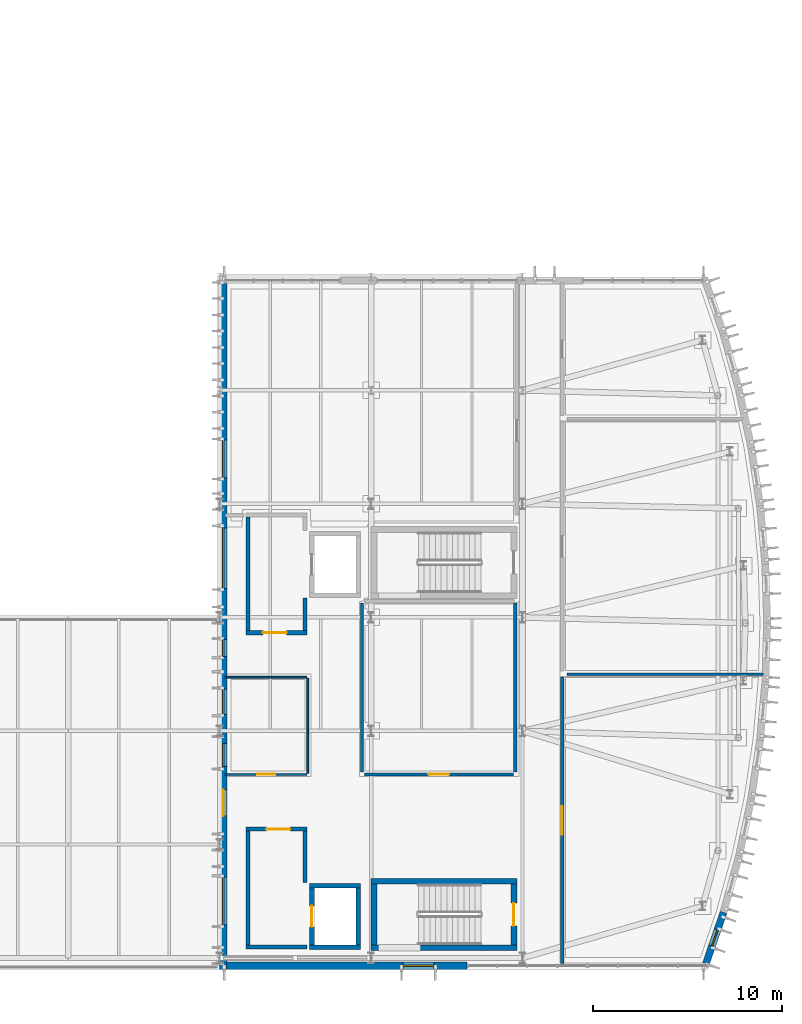
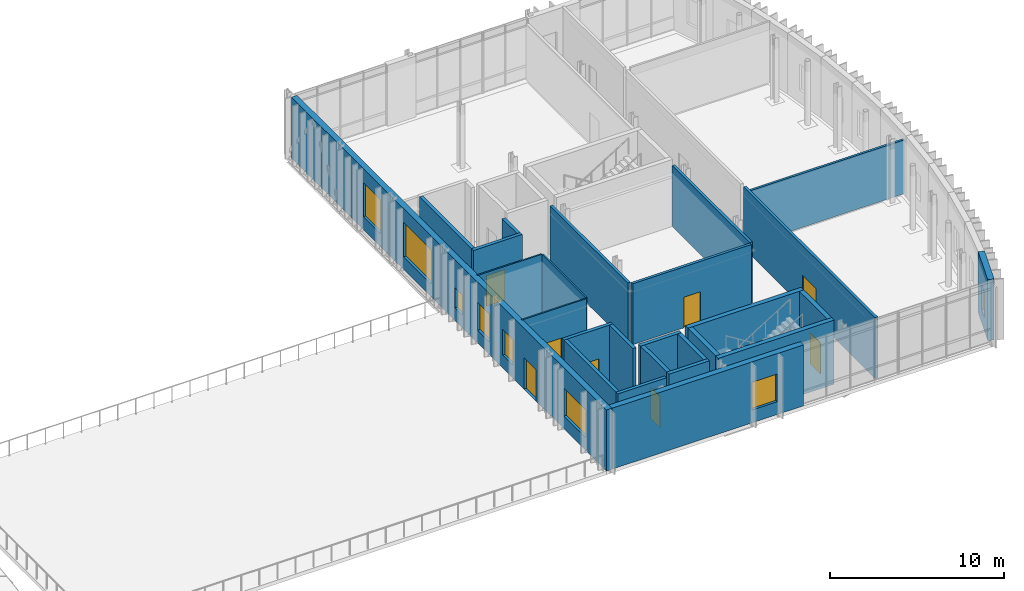
# One storey, part 45 of 62: 26 walls, 8 doors, 8 windows, 16 openings.
"""IFC4 building model written with IfcOpenShell, lengths in metres."""

from ifc_helpers import new_model, si_unit, direction, frame, frame_2d, origin, place, context, subcontext, project, spatial, rectangle, extrude, material, layer, layer_set, type_object, element, fill, save


model = new_model("IFC4")

# Units and contexts
model_context = context("Model", 3, precision=1e-05, world=origin(), true_north=direction((0.0, 1.0)))
body_context = subcontext(model_context, "Body", "Model", "MODEL_VIEW")
ifc_project = project(units=[si_unit("LENGTHUNIT", "METRE"), si_unit("AREAUNIT", "SQUARE_METRE"), si_unit("VOLUMEUNIT", "CUBIC_METRE"), si_unit("PLANEANGLEUNIT", "RADIAN"), si_unit("MASSUNIT", "GRAM", prefix="KILO")], contexts=[model_context])

# Site, building, storey
site_placement = place(None, origin())
site = spatial("IfcSite", under=ifc_project, at=site_placement, CompositionType="ELEMENT")
building_placement = place(site_placement, origin())
building = spatial("IfcBuilding", under=site, at=building_placement, Name="Cymarion Research Institute", CompositionType="ELEMENT")
storey_placement = place(building_placement, frame((0.0, 0.0, 18.300048828125)))
storey = spatial("IfcBuildingStorey", under=building, at=storey_placement, Name="L04", CompositionType="ELEMENT", Elevation=18.300048828125)

# Wall, opening, window
ifc_material_1 = material(Name="Precast concrete C40/50", Category="concrete")
ifc_layer_1 = layer(ifc_material_1, 0.3798828125)
ifc_layer_set_1 = layer_set([ifc_layer_1], Name="Precast concrete C40/50")
wall_type_1 = type_object("IfcWallType", Name="EXTERIOR WALL EW-PC380 380MM", PredefinedType="SOLIDWALL", material=ifc_layer_set_1)
wall_1_placement = place(storey_placement, frame((138.9619140625, 5.090087890625, 0.0), z_axis=(0.0, 0.0, 1.0), x_axis=(1.0, 0.0, 0.0)))
wall_1 = element("IfcWall", 1, at=wall_1_placement, inside=storey, type_object=wall_type_1, Name="L04 V1 facade pier wall EW-PC380 #195", PredefinedType="SOLIDWALL", context=body_context, shape_type="SweptSolid", body=[
    extrude(rectangle(XDim=12.718994140625, YDim=0.3798828125, at=frame_2d((6.359375, 0.0))), origin(), (0.0, 0.0, 1.0), 4.280029296875),
])
opening_1_placement = place(wall_1_placement, frame((9.31396484375, 0.0, 0.89990234375)))
opening_1 = element("IfcOpeningElement", 2, at=opening_1_placement, cuts=wall_1, Name="Opening W28", PredefinedType="OPENING", context=body_context, shape_type="SweptSolid", body=[
    extrude(rectangle(XDim=1.64990234375, YDim=1.949951171875, at=frame_2d((0.824951171875, 0.97509765625))), frame((0.0, 0.199951171875, 0.0), z_axis=(0.0, -1.0, 0.0), x_axis=(1.0, 0.0, 0.0)), (0.0, 0.0, 1.0), 0.39990234375),
])
ifc_material_2 = material(Name="Thermally broken aluminium window with Low-E glazing", Category="aluminium")
window_type_1 = type_object("IfcWindowType", Name="THERMALLY BROKEN ALUMINIUM WINDOW W28 1650X1950", PartitioningType="DOUBLE_PANEL_VERTICAL", PredefinedType="WINDOW", material=ifc_material_2)
window_1_placement = place(opening_1_placement, origin())
window_1 = element("IfcWindow", 3, at=window_1_placement, inside=storey, type_object=window_type_1, Name="L04 V1 facade window W28 #363", OverallHeight=1.949951171875, OverallWidth=1.64990234375, PartitioningType="SINGLE_PANEL", PredefinedType="WINDOW", context=body_context, shape_type="SweptSolid", body=[
    extrude(rectangle(XDim=1.64990234375, YDim=1.949951171875, at=frame_2d((0.824951171875, 0.97509765625))), frame((0.0, 0.030029296875, 0.0), z_axis=(0.0, -1.0, 0.0), x_axis=(1.0, 0.0, 0.0)), (0.0, 0.0, 1.0), 0.06005859375),
])
fill(opening_1, window_1)

wall_2_placement = place(storey_placement, frame((164.30224609375, 5.201416015625, 0.0), z_axis=(0.0, 0.0, 1.0), x_axis=(0.323739917301, 0.946146112366, 0.0)))
wall_2 = element("IfcWall", 4, at=wall_2_placement, inside=storey, type_object=wall_type_1, Name="L04 V1 exterior wall EW-PC380 #196", PredefinedType="SOLIDWALL", context=body_context, shape_type="SweptSolid", body=[
    extrude(rectangle(XDim=2.862548828125, YDim=0.3798828125, at=frame_2d((1.43115234375, 0.0))), origin(), (0.0, 0.0, 1.0), 4.280029296875),
])
opening_2_placement = place(wall_2_placement, frame((0.98095703125, 0.0, 0.89990234375)))
opening_2 = element("IfcOpeningElement", 5, at=opening_2_placement, cuts=wall_2, Name="Opening W24", PredefinedType="OPENING", context=body_context, shape_type="SweptSolid", body=[
    extrude(rectangle(XDim=0.89990234375, YDim=1.800048828125, at=frame_2d((0.449951171875, 0.89990234375))), frame((0.0, 0.199951171875, 0.0), z_axis=(0.0, -1.0, 0.0), x_axis=(1.0, 0.0, 0.0)), (0.0, 0.0, 1.0), 0.39990234375),
])
window_type_2 = type_object("IfcWindowType", Name="THERMALLY BROKEN ALUMINIUM WINDOW W24 900X1800", PartitioningType="SINGLE_PANEL", PredefinedType="WINDOW", material=ifc_material_2)
window_2_placement = place(opening_2_placement, origin())
window_2 = element("IfcWindow", 6, at=window_2_placement, inside=storey, type_object=window_type_2, Name="L04 V1 facade window W24 #364", OverallHeight=1.800048828125, OverallWidth=0.89990234375, PartitioningType="SINGLE_PANEL", PredefinedType="WINDOW", context=body_context, shape_type="SweptSolid", body=[
    extrude(rectangle(XDim=0.89990234375, YDim=1.800048828125, at=frame_2d((0.449951171875, 0.89990234375))), frame((0.0, 0.030029296875, 0.0), z_axis=(0.0, -1.0, 0.0), x_axis=(1.0, 0.0, 0.0)), (0.0, 0.0, 1.0), 0.06005859375),
])
fill(opening_2, window_2)

# Wall, openings, door, windows
wall_3_placement = place(storey_placement, frame((138.7900390625, 41.137939453125, 0.0), z_axis=(0.0, 0.0, 1.0), x_axis=(0.0, -1.0, 0.0)))
wall_3 = element("IfcWall", 7, at=wall_3_placement, inside=storey, type_object=wall_type_1, Name="L04 V1 exterior wall EW-PC380 #211", PredefinedType="SOLIDWALL", context=body_context, shape_type="SweptSolid", body=[
    extrude(rectangle(XDim=36.238037109375, YDim=0.3798828125, at=frame_2d((18.119140625, 0.0))), origin(), (0.0, 0.0, 1.0), 4.280029296875),
])
opening_3_placement = place(wall_3_placement, frame((26.738037109375, 0.0, 0.0)))
opening_3 = element("IfcOpeningElement", 8, at=opening_3_placement, cuts=wall_3, Name="Opening D-TR-L04-V1", PredefinedType="OPENING", context=body_context, shape_type="SweptSolid", body=[
    extrude(rectangle(XDim=1.39990234375, YDim=2.199951171875, at=frame_2d((0.699951171875, 1.10009765625))), frame((0.0, 0.199951171875, 0.0), z_axis=(0.0, -1.0, 0.0), x_axis=(1.0, 0.0, 0.0)), (0.0, 0.0, 1.0), 0.39990234375),
])
opening_4_placement = place(wall_3_placement, frame((8.26806640625, 0.0, 0.89990234375)))
opening_4 = element("IfcOpeningElement", 9, at=opening_4_placement, cuts=wall_3, Name="Opening W21", PredefinedType="OPENING", context=body_context, shape_type="SweptSolid", body=[
    extrude(rectangle(XDim=2.0, YDim=2.39990234375, at=frame_2d((1.0, 1.199951171875))), frame((0.0, 0.199951171875, 0.0), z_axis=(0.0, -1.0, 0.0), x_axis=(1.0, 0.0, 0.0)), (0.0, 0.0, 1.0), 0.39990234375),
])
opening_5_placement = place(wall_3_placement, frame((12.9130859375, 0.0, 0.89990234375)))
opening_5 = element("IfcOpeningElement", 10, at=opening_5_placement, cuts=wall_3, Name="Opening W23", PredefinedType="OPENING", context=body_context, shape_type="SweptSolid", body=[
    extrude(rectangle(XDim=3.199951171875, YDim=2.39990234375, at=frame_2d((1.60009765625, 1.199951171875))), frame((0.0, 0.199951171875, 0.0), z_axis=(0.0, -1.0, 0.0), x_axis=(1.0, 0.0, 0.0)), (0.0, 0.0, 1.0), 0.39990234375),
])
opening_6_placement = place(wall_3_placement, frame((18.80810546875, 0.0, 0.89990234375)))
opening_6 = element("IfcOpeningElement", 11, at=opening_6_placement, cuts=wall_3, Name="Opening W25", PredefinedType="OPENING", context=body_context, shape_type="SweptSolid", body=[
    extrude(rectangle(XDim=0.89990234375, YDim=1.39990234375, at=frame_2d((0.449951171875, 0.699951171875))), frame((0.0, 0.199951171875, 0.0), z_axis=(0.0, -1.0, 0.0), x_axis=(1.0, 0.0, 0.0)), (0.0, 0.0, 1.0), 0.39990234375),
])
opening_7_placement = place(wall_3_placement, frame((21.423095703125, 0.0, 0.89990234375)))
opening_7 = element("IfcOpeningElement", 12, at=opening_7_placement, cuts=wall_3, Name="Opening W27", PredefinedType="OPENING", context=body_context, shape_type="SweptSolid", body=[
    extrude(rectangle(XDim=1.35009765625, YDim=1.949951171875, at=frame_2d((0.675048828125, 0.97509765625))), frame((0.0, 0.199951171875, 0.0), z_axis=(0.0, -1.0, 0.0), x_axis=(1.0, 0.0, 0.0)), (0.0, 0.0, 1.0), 0.39990234375),
])
opening_8_placement = place(wall_3_placement, frame((24.30810546875, 0.0, 0.89990234375)))
opening_8 = element("IfcOpeningElement", 13, at=opening_8_placement, cuts=wall_3, Name="Opening W01", PredefinedType="OPENING", context=body_context, shape_type="SweptSolid", body=[
    extrude(rectangle(XDim=1.199951171875, YDim=1.800048828125, at=frame_2d((0.60009765625, 0.89990234375))), frame((0.0, 0.199951171875, 0.0), z_axis=(0.0, -1.0, 0.0), x_axis=(1.0, 0.0, 0.0)), (0.0, 0.0, 1.0), 0.39990234375),
])
opening_9_placement = place(wall_3_placement, frame((31.35302734375, 0.0, 0.89990234375)))
opening_9 = element("IfcOpeningElement", 14, at=opening_9_placement, cuts=wall_3, Name="Opening W31", PredefinedType="OPENING", context=body_context, shape_type="SweptSolid", body=[
    extrude(rectangle(XDim=2.550048828125, YDim=1.949951171875, at=frame_2d((1.27490234375, 0.97509765625))), frame((0.0, 0.199951171875, 0.0), z_axis=(0.0, -1.0, 0.0), x_axis=(1.0, 0.0, 0.0)), (0.0, 0.0, 1.0), 0.39990234375),
])
ifc_material_3 = material(Name="Thermally broken anodised aluminium glazed door", Category="aluminium")
door_type_1 = type_object("IfcDoorType", Name="GLAZED ALUMINIUM TERRACE ACCESS DOOR DT-TR140 1400X2200", OperationType="NOTDEFINED", PredefinedType="DOOR", material=ifc_material_3)
door_1_placement = place(opening_3_placement, frame((1.39990234375, 0.0, 0.0), z_axis=(0.0, 0.0, 1.0), x_axis=(-1.0, 0.0, 0.0)))
door_1 = element("IfcDoor", 15, at=door_1_placement, inside=storey, type_object=door_type_1, Name="L04 V1 Roof Garden Terrace Door D-TR-L04-V1", OperationType="SINGLE_SWING_LEFT", OverallHeight=2.199951171875, OverallWidth=1.39990234375, PredefinedType="DOOR", context=body_context, shape_type="SweptSolid", body=[
    extrude(rectangle(XDim=1.39990234375, YDim=2.199951171875, at=frame_2d((0.699951171875, 1.10009765625))), frame((0.0, 0.02490234375, 0.0), z_axis=(0.0, -1.0, 0.0), x_axis=(1.0, 0.0, 0.0)), (0.0, 0.0, 1.0), 0.050048828125),
])
fill(opening_3, door_1)
window_type_3 = type_object("IfcWindowType", Name="THERMALLY BROKEN ALUMINIUM WINDOW W01 1200X1800", PartitioningType="SINGLE_PANEL", PredefinedType="WINDOW", material=ifc_material_2)
window_3_placement = place(opening_8_placement, origin())
window_3 = element("IfcWindow", 16, at=window_3_placement, inside=storey, type_object=window_type_3, Name="L04 V1 facade window W01 #380", OverallHeight=1.800048828125, OverallWidth=1.199951171875, PartitioningType="SINGLE_PANEL", PredefinedType="WINDOW", context=body_context, shape_type="SweptSolid", body=[
    extrude(rectangle(XDim=1.199951171875, YDim=1.800048828125, at=frame_2d((0.60009765625, 0.89990234375))), frame((0.0, 0.030029296875, 0.0), z_axis=(0.0, -1.0, 0.0), x_axis=(1.0, 0.0, 0.0)), (0.0, 0.0, 1.0), 0.06005859375),
])
fill(opening_8, window_3)
window_type_4 = type_object("IfcWindowType", Name="THERMALLY BROKEN ALUMINIUM WINDOW W21 2000X2400", PartitioningType="DOUBLE_PANEL_VERTICAL", PredefinedType="WINDOW", material=ifc_material_2)
window_4_placement = place(opening_4_placement, origin())
window_4 = element("IfcWindow", 17, at=window_4_placement, inside=storey, type_object=window_type_4, Name="L04 V1 facade window W21 #376", OverallHeight=2.39990234375, OverallWidth=2.0, PartitioningType="SINGLE_PANEL", PredefinedType="WINDOW", context=body_context, shape_type="SweptSolid", body=[
    extrude(rectangle(XDim=2.0, YDim=2.39990234375, at=frame_2d((1.0, 1.199951171875))), frame((0.0, 0.030029296875, 0.0), z_axis=(0.0, -1.0, 0.0), x_axis=(1.0, 0.0, 0.0)), (0.0, 0.0, 1.0), 0.06005859375),
])
fill(opening_4, window_4)
window_type_5 = type_object("IfcWindowType", Name="THERMALLY BROKEN ALUMINIUM WINDOW W23 3200X2400", PartitioningType="TRIPLE_PANEL_VERTICAL", PredefinedType="WINDOW", material=ifc_material_2)
window_5_placement = place(opening_5_placement, origin())
window_5 = element("IfcWindow", 18, at=window_5_placement, inside=storey, type_object=window_type_5, Name="L04 V1 facade window W23 #377", OverallHeight=2.39990234375, OverallWidth=3.199951171875, PartitioningType="SINGLE_PANEL", PredefinedType="WINDOW", context=body_context, shape_type="SweptSolid", body=[
    extrude(rectangle(XDim=3.199951171875, YDim=2.39990234375, at=frame_2d((1.60009765625, 1.199951171875))), frame((0.0, 0.030029296875, 0.0), z_axis=(0.0, -1.0, 0.0), x_axis=(1.0, 0.0, 0.0)), (0.0, 0.0, 1.0), 0.06005859375),
])
fill(opening_5, window_5)
window_type_6 = type_object("IfcWindowType", Name="THERMALLY BROKEN ALUMINIUM WINDOW W25 900X1400", PartitioningType="SINGLE_PANEL", PredefinedType="WINDOW", material=ifc_material_2)
window_6_placement = place(opening_6_placement, origin())
window_6 = element("IfcWindow", 19, at=window_6_placement, inside=storey, type_object=window_type_6, Name="L04 V1 facade window W25 #378", OverallHeight=1.39990234375, OverallWidth=0.89990234375, PartitioningType="SINGLE_PANEL", PredefinedType="WINDOW", context=body_context, shape_type="SweptSolid", body=[
    extrude(rectangle(XDim=0.89990234375, YDim=1.39990234375, at=frame_2d((0.449951171875, 0.699951171875))), frame((0.0, 0.030029296875, 0.0), z_axis=(0.0, -1.0, 0.0), x_axis=(1.0, 0.0, 0.0)), (0.0, 0.0, 1.0), 0.06005859375),
])
fill(opening_6, window_6)
window_type_7 = type_object("IfcWindowType", Name="THERMALLY BROKEN ALUMINIUM WINDOW W27 1350X1950", PartitioningType="SINGLE_PANEL", PredefinedType="WINDOW", material=ifc_material_2)
window_7_placement = place(opening_7_placement, origin())
window_7 = element("IfcWindow", 20, at=window_7_placement, inside=storey, type_object=window_type_7, Name="L04 V1 facade window W27 #379", OverallHeight=1.949951171875, OverallWidth=1.35009765625, PartitioningType="SINGLE_PANEL", PredefinedType="WINDOW", context=body_context, shape_type="SweptSolid", body=[
    extrude(rectangle(XDim=1.35009765625, YDim=1.949951171875, at=frame_2d((0.675048828125, 0.97509765625))), frame((0.0, 0.030029296875, 0.0), z_axis=(0.0, -1.0, 0.0), x_axis=(1.0, 0.0, 0.0)), (0.0, 0.0, 1.0), 0.06005859375),
])
fill(opening_7, window_7)
window_type_8 = type_object("IfcWindowType", Name="THERMALLY BROKEN ALUMINIUM WINDOW W31 2550X1950", PartitioningType="TRIPLE_PANEL_VERTICAL", PredefinedType="WINDOW", material=ifc_material_2)
window_8_placement = place(opening_9_placement, origin())
window_8 = element("IfcWindow", 21, at=window_8_placement, inside=storey, type_object=window_type_8, Name="L04 V1 facade window W31 #381", OverallHeight=1.949951171875, OverallWidth=2.550048828125, PartitioningType="SINGLE_PANEL", PredefinedType="WINDOW", context=body_context, shape_type="SweptSolid", body=[
    extrude(rectangle(XDim=2.550048828125, YDim=1.949951171875, at=frame_2d((1.27490234375, 0.97509765625))), frame((0.0, 0.030029296875, 0.0), z_axis=(0.0, -1.0, 0.0), x_axis=(1.0, 0.0, 0.0)), (0.0, 0.0, 1.0), 0.06005859375),
])
fill(opening_9, window_8)

# Walls
ifc_material_4 = material(Name="Gypsum acoustic double-stud partition", Category="gypsum")
ifc_layer_2 = layer(ifc_material_4, 0.14990234375)
ifc_layer_set_2 = layer_set([ifc_layer_2], Name="Gypsum acoustic double-stud partition")
wall_type_2 = type_object("IfcWallType", Name="INTERIOR PARTITION IW-AC150 150MM", PredefinedType="PARTITIONING", material=ifc_layer_set_2)
wall_4_placement = place(storey_placement, frame((156.949951171875, 20.5, 0.0), z_axis=(0.0, 0.0, 1.0), x_axis=(1.0, 0.0, 0.0)))
element("IfcWall", 22, at=wall_4_placement, inside=storey, type_object=wall_type_2, Name="L04 V1 interior partition IW-AC150 #266", PredefinedType="PARTITIONING", context=body_context, shape_type="SweptSolid", body=[
    extrude(rectangle(XDim=10.390380859375, YDim=0.14990234375, at=frame_2d((5.1953125, 0.0))), origin(), (0.0, 0.0, 1.0), 3.780029296875),
])
ifc_material_5 = material(Name="Framed acoustic glass laboratory screen", Category="glass")
ifc_layer_3 = layer(ifc_material_5, 0.10009765625)
ifc_layer_set_3 = layer_set([ifc_layer_3], Name="Framed acoustic glass laboratory screen")
wall_type_3 = type_object("IfcWallType", Name="INTERIOR PARTITION IW-GL100 100MM", PredefinedType="PARTITIONING", material=ifc_layer_set_3)
wall_5_placement = place(storey_placement, frame((138.905029296875, 20.340087890625, 0.0), z_axis=(0.0, 0.0, 1.0), x_axis=(1.0, 0.0, 0.0)))
element("IfcWall", 23, at=wall_5_placement, inside=storey, type_object=wall_type_3, Name="L04 V1 interior partition IW-GL100 #271", PredefinedType="PARTITIONING", context=body_context, shape_type="SweptSolid", body=[
    extrude(rectangle(XDim=4.294921875, YDim=0.10009765625, at=frame_2d((2.1474609375, 0.0))), origin(), (0.0, 0.0, 1.0), 4.280029296875),
])
wall_6_placement = place(storey_placement, frame((143.25, 15.260009765625, 0.0), z_axis=(0.0, 0.0, 1.0), x_axis=(0.0, 1.0, 0.0)))
element("IfcWall", 24, at=wall_6_placement, inside=storey, type_object=wall_type_3, Name="L04 V1 interior partition IW-GL100 #272", PredefinedType="PARTITIONING", context=body_context, shape_type="SweptSolid", body=[
    extrude(rectangle(XDim=5.02001953125, YDim=0.10009765625, at=frame_2d((2.510009765625, 0.0))), origin(), (0.0, 0.0, 1.0), 4.280029296875),
])

# Wall, opening, door
wall_7_placement = place(storey_placement, frame((138.905029296875, 15.199951171875, 0.0), z_axis=(0.0, 0.0, 1.0), x_axis=(1.0, 0.0, 0.0)))
wall_7 = element("IfcWall", 25, at=wall_7_placement, inside=storey, type_object=wall_type_3, Name="L04 V1 interior partition IW-GL100 #273", PredefinedType="PARTITIONING", context=body_context, shape_type="SweptSolid", body=[
    extrude(rectangle(XDim=4.294921875, YDim=0.10009765625, at=frame_2d((2.1474609375, 0.0))), origin(), (0.0, 0.0, 1.0), 4.280029296875),
])
opening_10_placement = place(wall_7_placement, frame((1.673095703125, 0.0, 0.0)))
opening_10 = element("IfcOpeningElement", 26, at=opening_10_placement, cuts=wall_7, Name="Opening D-L04-174", PredefinedType="OPENING", context=body_context, shape_type="SweptSolid", body=[
    extrude(rectangle(XDim=0.949951171875, YDim=2.10009765625, at=frame_2d((0.47509765625, 1.050048828125))), frame((0.0, 0.06005859375, 0.0), z_axis=(0.0, -1.0, 0.0), x_axis=(1.0, 0.0, 0.0)), (0.0, 0.0, 1.0), 0.1201171875),
])
ifc_material_6 = material(Name="Flush acoustic timber/steel door assembly", Category="steel")
door_type_2 = type_object("IfcDoorType", Name="FACULTY STUDY DOOR DT-OF095 950X2100", OperationType="NOTDEFINED", PredefinedType="DOOR", material=ifc_material_6)
door_2_placement = place(opening_10_placement, origin())
door_2 = element("IfcDoor", 27, at=door_2_placement, inside=storey, type_object=door_type_2, Name="L04 West Write-up door D-L04-174", OperationType="SINGLE_SWING_LEFT", OverallHeight=2.10009765625, OverallWidth=0.949951171875, PredefinedType="DOOR", context=body_context, shape_type="SweptSolid", body=[
    extrude(rectangle(XDim=0.949951171875, YDim=2.10009765625, at=frame_2d((0.47509765625, 1.050048828125))), frame((0.0, 0.02490234375, 0.0), z_axis=(0.0, -1.0, 0.0), x_axis=(1.0, 0.0, 0.0)), (0.0, 0.0, 1.0), 0.050048828125),
])
fill(opening_10, door_2)

ifc_material_7 = material(Name="Moisture-resistant laboratory partition", Category="gypsum")
ifc_layer_4 = layer(ifc_material_7, 0.179931640625)
ifc_layer_set_4 = layer_set([ifc_layer_4], Name="Moisture-resistant laboratory partition")
wall_type_4 = type_object("IfcWallType", Name="INTERIOR PARTITION IW-LB180 180MM", PredefinedType="PARTITIONING", material=ifc_layer_set_4)
wall_8_placement = place(storey_placement, frame((156.699951171875, 5.205078125, 0.0), z_axis=(0.0, 0.0, 1.0), x_axis=(0.0, 1.0, 0.0)))
wall_8 = element("IfcWall", 28, at=wall_8_placement, inside=storey, type_object=wall_type_4, Name="L04 V1 interior partition IW-LB180 #268", PredefinedType="PARTITIONING", context=body_context, shape_type="SweptSolid", body=[
    extrude(rectangle(XDim=15.135009765625, YDim=0.179931640625, at=frame_2d((7.5673828125, 0.0))), origin(), (0.0, 0.0, 1.0), 4.280029296875),
])
opening_11_placement = place(wall_8_placement, frame((6.818115234375, 0.0, 0.0)))
opening_11 = element("IfcOpeningElement", 29, at=opening_11_placement, cuts=wall_8, Name="Opening D-L04-171", PredefinedType="OPENING", context=body_context, shape_type="SweptSolid", body=[
    extrude(rectangle(XDim=1.5, YDim=2.199951171875, at=frame_2d((0.75, 1.10009765625))), frame((0.0, 0.099853515625, 0.0), z_axis=(0.0, -1.0, 0.0), x_axis=(1.0, 0.0, 0.0)), (0.0, 0.0, 1.0), 0.199951171875),
])
door_type_3 = type_object("IfcDoorType", Name="LABORATORY EQUIPMENT DOUBLE DOOR DT-LB150 1500X2200", OperationType="DOUBLE_DOOR_SINGLE_SWING", PredefinedType="DOOR", material=ifc_material_6)
door_3_placement = place(opening_11_placement, origin())
door_3 = element("IfcDoor", 30, at=door_3_placement, inside=storey, type_object=door_type_3, Name="L04 Prow Lab S door D-L04-171", OperationType="DOUBLE_DOOR_SINGLE_SWING", OverallHeight=2.199951171875, OverallWidth=1.5, PredefinedType="DOOR", context=body_context, shape_type="SweptSolid", body=[
    extrude(rectangle(XDim=1.5, YDim=2.199951171875, at=frame_2d((0.75, 1.10009765625))), frame((0.0, 0.02490234375, 0.0), z_axis=(0.0, -1.0, 0.0), x_axis=(1.0, 0.0, 0.0)), (0.0, 0.0, 1.0), 0.050048828125),
])
fill(opening_11, door_3)

# Walls
for number, where, z_axis, x_axis, name in (
    (31, (146.1201171875, 15.320068359375, 0.0), (0.0, 0.0, 1.0), (0.0, 1.0, 0.0), "L04 V1 interior partition IW-LB180 #274"),
    (32, (154.219970703125, 15.320068359375, 0.0), (0.0, 0.0, 1.0), (0.0, 1.0, 0.0), "L04 V1 interior partition IW-LB180 #276"),
):
    element("IfcWall", number, at=place(storey_placement, frame(where, z_axis=z_axis, x_axis=x_axis)), inside=storey, type_object=wall_type_4, Name=name, PredefinedType="PARTITIONING", context=body_context, shape_type="SweptSolid", body=[
        extrude(rectangle(XDim=8.929931640625, YDim=0.179931640625, at=frame_2d((4.46484375, 0.0))), origin(), (0.0, 0.0, 1.0), 4.280029296875),
    ])

# Wall, opening, door
wall_9_placement = place(storey_placement, frame((146.239990234375, 15.199951171875, 0.0), z_axis=(0.0, 0.0, 1.0), x_axis=(1.0, 0.0, 0.0)))
wall_9 = element("IfcWall", 33, at=wall_9_placement, inside=storey, type_object=wall_type_4, Name="L04 V1 interior partition IW-LB180 #277", PredefinedType="PARTITIONING", context=body_context, shape_type="SweptSolid", body=[
    extrude(rectangle(XDim=7.880126953125, YDim=0.179931640625, at=frame_2d((3.93994140625, 0.0))), origin(), (0.0, 0.0, 1.0), 4.280029296875),
])
opening_12_placement = place(wall_9_placement, frame((3.389892578125, 0.0, 0.0)))
opening_12 = element("IfcOpeningElement", 34, at=opening_12_placement, cuts=wall_9, Name="Opening D-L04-175", PredefinedType="OPENING", context=body_context, shape_type="SweptSolid", body=[
    extrude(rectangle(XDim=1.10009765625, YDim=2.14990234375, at=frame_2d((0.550048828125, 1.074951171875))), frame((0.0, 0.099853515625, 0.0), z_axis=(0.0, -1.0, 0.0), x_axis=(1.0, 0.0, 0.0)), (0.0, 0.0, 1.0), 0.199951171875),
])
door_type_4 = type_object("IfcDoorType", Name="LABORATORY WIDE SINGLE DOOR DT-LB110 1100X2150", OperationType="NOTDEFINED", PredefinedType="DOOR", material=ifc_material_6)
door_4_placement = place(opening_12_placement, origin())
door_4 = element("IfcDoor", 35, at=door_4_placement, inside=storey, type_object=door_type_4, Name="L04 Central Microscopy Lab door D-L04-175", OperationType="SINGLE_SWING_RIGHT", OverallHeight=2.14990234375, OverallWidth=1.10009765625, PredefinedType="DOOR", context=body_context, shape_type="SweptSolid", body=[
    extrude(rectangle(XDim=1.10009765625, YDim=2.14990234375, at=frame_2d((0.550048828125, 1.074951171875))), frame((0.0, 0.02490234375, 0.0), z_axis=(0.0, -1.0, 0.0), x_axis=(1.0, 0.0, 0.0)), (0.0, 0.0, 1.0), 0.050048828125),
])
fill(opening_12, door_4)

# Wall
ifc_material_8 = material(Name="Concrete C40/50", Category="concrete")
ifc_layer_5 = layer(ifc_material_8, 0.219970703125)
ifc_layer_set_5 = layer_set([ifc_layer_5], Name="Concrete C40/50")
wall_type_5 = type_object("IfcWallType", Name="REINFORCED CONCRETE CORE WALL CW-FF220 220MM", PredefinedType="SOLIDWALL", material=ifc_layer_set_5)
wall_10_placement = place(storey_placement, frame((139.97998046875, 6.090087890625, 0.0), z_axis=(0.0, 0.0, 1.0), x_axis=(1.0, 0.0, 0.0)))
element("IfcWall", 36, at=wall_10_placement, inside=storey, type_object=wall_type_5, Name="L04 FFL-LF1-L04 south core wall", PredefinedType="SOLIDWALL", context=body_context, shape_type="SweptSolid", body=[
    extrude(rectangle(XDim=3.239990234375, YDim=0.219970703125, at=frame_2d((1.6201171875, 0.0))), origin(), (0.0, 0.0, 1.0), 4.280029296875),
])

# Wall, opening, door
wall_11_placement = place(storey_placement, frame((143.219970703125, 12.31005859375, 0.0), z_axis=(0.0, 0.0, 1.0), x_axis=(-1.0, 0.0, 0.0)))
wall_11 = element("IfcWall", 37, at=wall_11_placement, inside=storey, type_object=wall_type_5, Name="L04 FFL-LF1-L04 north core wall", PredefinedType="SOLIDWALL", context=body_context, shape_type="SweptSolid", body=[
    extrude(rectangle(XDim=3.239990234375, YDim=0.219970703125, at=frame_2d((1.6201171875, 0.0))), origin(), (0.0, 0.0, 1.0), 4.280029296875),
])
opening_13_placement = place(wall_11_placement, frame((0.89990234375, 0.0, 0.0)))
opening_13 = element("IfcOpeningElement", 38, at=opening_13_placement, cuts=wall_11, Name="Opening FD-FFL-LF1-L04", PredefinedType="OPENING", context=body_context, shape_type="SweptSolid", body=[
    extrude(rectangle(XDim=1.25, YDim=2.14990234375, at=frame_2d((0.625, 1.074951171875))), frame((0.0, 0.119873046875, 0.0), z_axis=(0.0, -1.0, 0.0), x_axis=(1.0, 0.0, 0.0)), (0.0, 0.0, 1.0), 0.239990234375),
])
ifc_material_9 = material(Name="Fire-rated insulated steel door assembly", Category="steel")
door_type_5 = type_object("IfcDoorType", Name="FIREFIGHTING LOBBY DOOR DT-FF125 1250X2150", OperationType="NOTDEFINED", PredefinedType="DOOR", material=ifc_material_9)
door_5_placement = place(opening_13_placement, frame((1.25, 0.0, 0.0), z_axis=(0.0, 0.0, 1.0), x_axis=(-1.0, 0.0, 0.0)))
door_5 = element("IfcDoor", 39, at=door_5_placement, inside=storey, type_object=door_type_5, Name="L04 Firefighting lobby door FD-FFL-LF1-L04", OperationType="SINGLE_SWING_RIGHT", OverallHeight=2.14990234375, OverallWidth=1.25, PredefinedType="DOOR", context=body_context, shape_type="SweptSolid", body=[
    extrude(rectangle(XDim=1.25, YDim=2.14990234375, at=frame_2d((0.625, 1.074951171875))), frame((0.0, 0.02490234375, 0.0), z_axis=(0.0, -1.0, 0.0), x_axis=(1.0, 0.0, 0.0)), (0.0, 0.0, 1.0), 0.050048828125),
])
fill(opening_13, door_5)

# Walls
wall_12_placement = place(storey_placement, frame((140.090087890625, 12.199951171875, 0.0), z_axis=(0.0, 0.0, 1.0), x_axis=(0.0, -1.0, 0.0)))
element("IfcWall", 40, at=wall_12_placement, inside=storey, type_object=wall_type_5, Name="L04 FFL-LF1-L04 west core wall", PredefinedType="SOLIDWALL", context=body_context, shape_type="SweptSolid", body=[
    extrude(rectangle(XDim=6.0, YDim=0.219970703125, at=frame_2d((3.0, 0.0))), origin(), (0.0, 0.0, 1.0), 4.280029296875),
])
wall_13_placement = place(storey_placement, frame((143.110107421875, 9.47998046875, 0.0), z_axis=(0.0, 0.0, 1.0), x_axis=(0.0, 1.0, 0.0)))
element("IfcWall", 41, at=wall_13_placement, inside=storey, type_object=wall_type_5, Name="Core C1 firefighting lobby east closure wall L04", PredefinedType="SOLIDWALL", context=body_context, shape_type="SweptSolid", body=[
    extrude(rectangle(XDim=2.719970703125, YDim=0.219970703125, at=frame_2d((1.35986328125, 0.0))), origin(), (0.0, 0.0, 1.0), 4.280029296875),
])

# Wall, opening, door
wall_14_placement = place(storey_placement, frame((139.97998046875, 22.68994140625, 0.0), z_axis=(0.0, 0.0, 1.0), x_axis=(1.0, 0.0, 0.0)))
wall_14 = element("IfcWall", 42, at=wall_14_placement, inside=storey, type_object=wall_type_5, Name="L04 FFL-LF2-L04 south core wall", PredefinedType="SOLIDWALL", context=body_context, shape_type="SweptSolid", body=[
    extrude(rectangle(XDim=3.239990234375, YDim=0.219970703125, at=frame_2d((1.6201171875, 0.0))), origin(), (0.0, 0.0, 1.0), 4.280029296875),
])
opening_14_placement = place(wall_14_placement, frame((0.89990234375, 0.0, 0.0)))
opening_14 = element("IfcOpeningElement", 43, at=opening_14_placement, cuts=wall_14, Name="Opening FD-FFL-LF2-L04", PredefinedType="OPENING", context=body_context, shape_type="SweptSolid", body=[
    extrude(rectangle(XDim=1.25, YDim=2.14990234375, at=frame_2d((0.625, 1.074951171875))), frame((0.0, 0.119873046875, 0.0), z_axis=(0.0, -1.0, 0.0), x_axis=(1.0, 0.0, 0.0)), (0.0, 0.0, 1.0), 0.239990234375),
])
door_6_placement = place(opening_14_placement, frame((1.25, 0.0, 0.0), z_axis=(0.0, 0.0, 1.0), x_axis=(-1.0, 0.0, 0.0)))
door_6 = element("IfcDoor", 44, at=door_6_placement, inside=storey, type_object=door_type_5, Name="L04 Firefighting lobby door FD-FFL-LF2-L04", OperationType="SINGLE_SWING_RIGHT", OverallHeight=2.14990234375, OverallWidth=1.25, PredefinedType="DOOR", context=body_context, shape_type="SweptSolid", body=[
    extrude(rectangle(XDim=1.25, YDim=2.14990234375, at=frame_2d((0.625, 1.074951171875))), frame((0.0, 0.02490234375, 0.0), z_axis=(0.0, -1.0, 0.0), x_axis=(1.0, 0.0, 0.0)), (0.0, 0.0, 1.0), 0.050048828125),
])
fill(opening_14, door_6)

# Walls
wall_15_placement = place(storey_placement, frame((140.090087890625, 28.800048828125, 0.0), z_axis=(0.0, 0.0, 1.0), x_axis=(0.0, -1.0, 0.0)))
element("IfcWall", 45, at=wall_15_placement, inside=storey, type_object=wall_type_5, Name="L04 FFL-LF2-L04 west core wall", PredefinedType="SOLIDWALL", context=body_context, shape_type="SweptSolid", body=[
    extrude(rectangle(XDim=6.0, YDim=0.219970703125, at=frame_2d((3.0, 0.0))), origin(), (0.0, 0.0, 1.0), 4.280029296875),
])
wall_16_placement = place(storey_placement, frame((143.110107421875, 22.800048828125, 0.0), z_axis=(0.0, 0.0, 1.0), x_axis=(0.0, 1.0, 0.0)))
element("IfcWall", 46, at=wall_16_placement, inside=storey, type_object=wall_type_5, Name="Core C2 firefighting lobby east closure wall L04 #1", PredefinedType="SOLIDWALL", context=body_context, shape_type="SweptSolid", body=[
    extrude(rectangle(XDim=1.719970703125, YDim=0.219970703125, at=frame_2d((0.85986328125, 0.0))), origin(), (0.0, 0.0, 1.0), 4.280029296875),
])
ifc_layer_6 = layer(ifc_material_8, 0.25)
ifc_layer_set_6 = layer_set([ifc_layer_6], Name="Concrete C40/50")
wall_type_6 = type_object("IfcWallType", Name="REINFORCED CONCRETE CORE WALL CW-SH250 250MM", PredefinedType="SHEAR", material=ifc_layer_set_6)
for number, where, z_axis, x_axis, name in (
    (47, (143.35009765625, 6.074951171875, 0.0), (0.0, 0.0, 1.0), (1.0, 0.0, 0.0), "L04 LSH-LF1-L04 south core wall"),
    (48, (146.050048828125, 9.324951171875, 0.0), (0.0, 0.0, 1.0), (-1.0, 0.0, 0.0), "L04 LSH-LF1-L04 north core wall"),
):
    element("IfcWall", number, at=place(storey_placement, frame(where, z_axis=z_axis, x_axis=x_axis)), inside=storey, type_object=wall_type_6, Name=name, PredefinedType="SHEAR", context=body_context, shape_type="SweptSolid", body=[
        extrude(rectangle(XDim=2.699951171875, YDim=0.25, at=frame_2d((1.35009765625, 0.0))), origin(), (0.0, 0.0, 1.0), 4.5),
    ])

# Wall, opening, door
wall_17_placement = place(storey_placement, frame((143.47509765625, 9.199951171875, 0.0), z_axis=(0.0, 0.0, 1.0), x_axis=(0.0, -1.0, 0.0)))
wall_17 = element("IfcWall", 49, at=wall_17_placement, inside=storey, type_object=wall_type_6, Name="L04 LSH-LF1-L04 west core wall", PredefinedType="SHEAR", context=body_context, shape_type="SweptSolid", body=[
    extrude(rectangle(XDim=3.0, YDim=0.25, at=frame_2d((1.5, 0.0))), origin(), (0.0, 0.0, 1.0), 4.5),
])
opening_15_placement = place(wall_17_placement, frame((0.949951171875, 0.0, 0.0)))
opening_15 = element("IfcOpeningElement", 50, at=opening_15_placement, cuts=wall_17, Name="Opening LD-LF1-L04", PredefinedType="OPENING", context=body_context, shape_type="SweptSolid", body=[
    extrude(rectangle(XDim=1.10009765625, YDim=2.14990234375, at=frame_2d((0.550048828125, 1.074951171875))), frame((0.0, 0.135009765625, 0.0), z_axis=(0.0, -1.0, 0.0), x_axis=(1.0, 0.0, 0.0)), (0.0, 0.0, 1.0), 0.27001953125),
])
door_type_6 = type_object("IfcDoorType", Name="SLIDING LIFT LANDING DOOR DT-LD110 1100X2150", OperationType="DOUBLE_DOOR_SLIDING", PredefinedType="DOOR", material=ifc_material_9)
door_7_placement = place(opening_15_placement, origin())
door_7 = element("IfcDoor", 51, at=door_7_placement, inside=storey, type_object=door_type_6, Name="Lift LF1 landing door L04", OperationType="DOUBLE_DOOR_SLIDING", OverallHeight=2.14990234375, OverallWidth=1.10009765625, PredefinedType="DOOR", context=body_context, shape_type="SweptSolid", body=[
    extrude(rectangle(XDim=1.10009765625, YDim=2.14990234375, at=frame_2d((0.550048828125, 1.074951171875))), frame((0.0, 0.02490234375, 0.0), z_axis=(0.0, -1.0, 0.0), x_axis=(1.0, 0.0, 0.0)), (0.0, 0.0, 1.0), 0.050048828125),
])
fill(opening_15, door_7)

# Walls
wall_18_placement = place(storey_placement, frame((145.925048828125, 6.199951171875, 0.0), z_axis=(0.0, 0.0, 1.0), x_axis=(0.0, 1.0, 0.0)))
element("IfcWall", 52, at=wall_18_placement, inside=storey, type_object=wall_type_6, Name="L04 LSH-LF1-L04 east core wall", PredefinedType="SHEAR", context=body_context, shape_type="SweptSolid", body=[
    extrude(rectangle(XDim=3.0, YDim=0.25, at=frame_2d((1.5, 0.0))), origin(), (0.0, 0.0, 1.0), 4.5),
])
ifc_layer_7 = layer(ifc_material_8, 0.300048828125)
ifc_layer_set_7 = layer_set([ifc_layer_7], Name="Concrete C40/50")
wall_type_7 = type_object("IfcWallType", Name="REINFORCED CONCRETE CORE WALL CW-SH300 300MM", PredefinedType="SHEAR", material=ifc_layer_set_7)
for number, where, z_axis, x_axis, name in (
    (53, (146.60009765625, 6.050048828125, 0.0), (0.0, 0.0, 1.0), (1.0, 0.0, 0.0), "L04 SHW-C1-L04 south core wall"),
    (54, (154.300048828125, 9.550048828125, 0.0), (0.0, 0.0, 1.0), (-1.0, 0.0, 0.0), "L04 SHW-C1-L04 north core wall"),
):
    element("IfcWall", number, at=place(storey_placement, frame(where, z_axis=z_axis, x_axis=x_axis)), inside=storey, type_object=wall_type_7, Name=name, PredefinedType="SHEAR", context=body_context, shape_type="SweptSolid", body=[
        extrude(rectangle(XDim=7.699951171875, YDim=0.300048828125, at=frame_2d((3.85009765625, 0.0))), origin(), (0.0, 0.0, 1.0), 4.5),
    ])
wall_19_placement = place(storey_placement, frame((146.75, 9.39990234375, 0.0), z_axis=(0.0, 0.0, 1.0), x_axis=(0.0, -1.0, 0.0)))
element("IfcWall", 55, at=wall_19_placement, inside=storey, type_object=wall_type_7, Name="L04 SHW-C1-L04 west core wall", PredefinedType="SHEAR", context=body_context, shape_type="SweptSolid", body=[
    extrude(rectangle(XDim=3.199951171875, YDim=0.300048828125, at=frame_2d((1.60009765625, 0.0))), origin(), (0.0, 0.0, 1.0), 4.5),
])

# Wall, opening, door
wall_20_placement = place(storey_placement, frame((154.14990234375, 6.199951171875, 0.0), z_axis=(0.0, 0.0, 1.0), x_axis=(0.0, 1.0, 0.0)))
wall_20 = element("IfcWall", 56, at=wall_20_placement, inside=storey, type_object=wall_type_7, Name="L04 SHW-C1-L04 east core wall", PredefinedType="SHEAR", context=body_context, shape_type="SweptSolid", body=[
    extrude(rectangle(XDim=3.199951171875, YDim=0.300048828125, at=frame_2d((1.60009765625, 0.0))), origin(), (0.0, 0.0, 1.0), 4.5),
])
opening_16_placement = place(wall_20_placement, frame((1.0, 0.0, 0.0)))
opening_16 = element("IfcOpeningElement", 57, at=opening_16_placement, cuts=wall_20, Name="Opening FD-L04-ST1", PredefinedType="OPENING", context=body_context, shape_type="SweptSolid", body=[
    extrude(rectangle(XDim=1.199951171875, YDim=2.14990234375, at=frame_2d((0.60009765625, 1.074951171875))), frame((0.0, 0.159912109375, 0.0), z_axis=(0.0, -1.0, 0.0), x_axis=(1.0, 0.0, 0.0)), (0.0, 0.0, 1.0), 0.320068359375),
])
door_type_7 = type_object("IfcDoorType", Name="SMOKE PROOF STAIR FIRE DOOR DT-ST120 1200X2150", OperationType="NOTDEFINED", PredefinedType="DOOR", material=ifc_material_9)
door_8_placement = place(opening_16_placement, origin())
door_8 = element("IfcDoor", 58, at=door_8_placement, inside=storey, type_object=door_type_7, Name="L04 ST1 smoke-proof stair door FD-L04-ST1", OperationType="SINGLE_SWING_RIGHT", OverallHeight=2.14990234375, OverallWidth=1.199951171875, PredefinedType="DOOR", context=body_context, shape_type="SweptSolid", body=[
    extrude(rectangle(XDim=1.199951171875, YDim=2.14990234375, at=frame_2d((0.60009765625, 1.074951171875))), frame((0.0, 0.02490234375, 0.0), z_axis=(0.0, -1.0, 0.0), x_axis=(1.0, 0.0, 0.0)), (0.0, 0.0, 1.0), 0.050048828125),
])
fill(opening_16, door_8)

save(model, "model.ifc")
